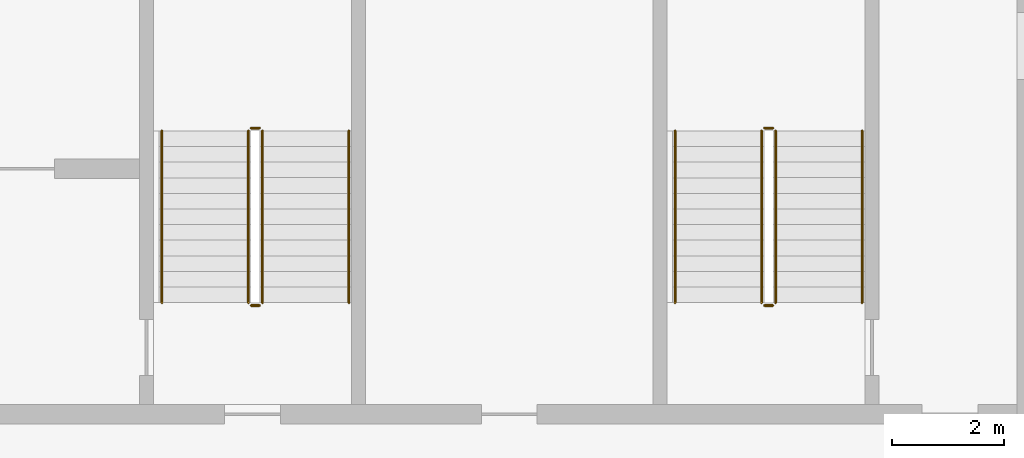
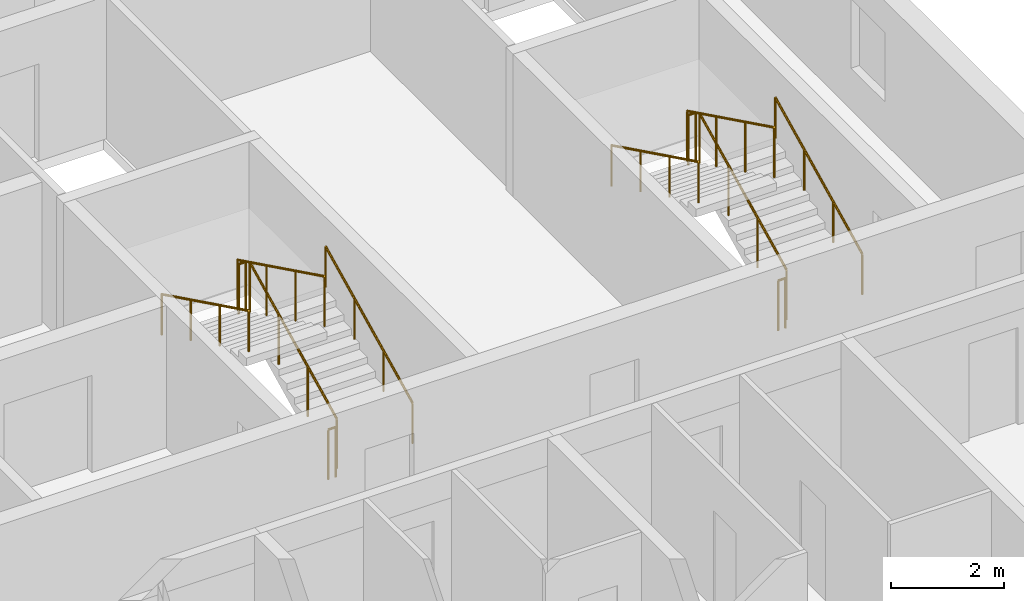
# One storey, part 15 of 27: 12 railings.
"""IFC4 building model written with IfcOpenShell, lengths in metres."""

from ifc_helpers import new_model, si_unit, direction, frame, origin, origin_2d, place, context, subcontext, project, spatial, circle, extrude, material, type_object, element, save


model = new_model("IFC4")

# Units and contexts
model_context = context("Model", 3, precision=1e-05, world=origin(), true_north=direction((0.0, 1.0)))
body_context = subcontext(model_context, "Body", "Model", "MODEL_VIEW")
ifc_project = project(units=[si_unit("LENGTHUNIT", "METRE"), si_unit("AREAUNIT", "SQUARE_METRE"), si_unit("VOLUMEUNIT", "CUBIC_METRE"), si_unit("PLANEANGLEUNIT", "RADIAN"), si_unit("MASSUNIT", "GRAM", prefix="KILO")], contexts=[model_context])

# Site, building, storey
site_placement = place(None, origin())
site = spatial("IfcSite", under=ifc_project, at=site_placement, CompositionType="ELEMENT")
building_placement = place(site_placement, origin())
building = spatial("IfcBuilding", under=site, at=building_placement, Name="Poui Terraces", CompositionType="ELEMENT")
storey_placement = place(building_placement, frame((0.0, 0.0, 254.39990234375)))
storey = spatial("IfcBuildingStorey", under=building, at=storey_placement, Name="L71", CompositionType="ELEMENT", Elevation=254.39990234375)

# Railings
ifc_material_1 = material(Name="Galvanised steel balustrade", Category="steel")
railing_type_1 = type_object("IfcRailingType", Name="STAIR GUARD 1100", PredefinedType="GUARDRAIL", material=ifc_material_1)
railing_1_placement = place(storey_placement, frame((70.27490234375, 16.60009765625, 0.1376953125)))
element("IfcRailing", 1, at=railing_1_placement, inside=storey, type_object=railing_type_1, Name="L71 ST-CE stair guard 1", PredefinedType="GUARDRAIL", context=body_context, shape_type="SweptSolid", body=[
    extrude(circle(Radius=0.02392578125, at=origin_2d()), frame((0.0, 0.0, 1.076171875), z_axis=(0.0, 0.897606190399, 0.440798283751), x_axis=(-1.0, 0.0, 0.0)), (0.0, 0.0, 1.0), 3.43115234375),
    extrude(circle(Radius=0.02099609375, at=origin_2d()), origin(), (0.0, 0.0, 1.0), 1.052001953125),
    extrude(circle(Radius=0.02099609375, at=origin_2d()), frame((0.0, 1.026611328125, 0.504150390625)), (0.0, 0.0, 1.0), 1.052001953125),
    extrude(circle(Radius=0.02099609375, at=origin_2d()), frame((0.0, 2.05322265625, 1.00830078125)), (0.0, 0.0, 1.0), 1.052001953125),
    extrude(circle(Radius=0.02099609375, at=origin_2d()), frame((0.0, 3.079833984375, 1.512451171875)), (0.0, 0.0, 1.0), 1.052001953125),
])
railing_2_placement = place(storey_placement, frame((70.22509765625, 19.72998046875, 1.650146484375)))
element("IfcRailing", 2, at=railing_2_placement, inside=storey, type_object=railing_type_1, Name="L71 ST-CE stair guard 2", PredefinedType="GUARDRAIL", context=body_context, shape_type="SweptSolid", body=[
    extrude(circle(Radius=0.02392578125, at=origin_2d()), frame((0.0, 0.0, 1.076171875), z_axis=(-1.0, 0.0, 0.0), x_axis=(0.0, -1.0, 0.0)), (0.0, 0.0, 1.0), 0.150146484375),
    extrude(circle(Radius=0.02099609375, at=origin_2d()), origin(), (0.0, 0.0, 1.0), 1.052001953125),
    extrude(circle(Radius=0.02099609375, at=origin_2d()), frame((-0.150146484375, 0.0, 0.0)), (0.0, 0.0, 1.0), 1.052001953125),
])
railing_3_placement = place(storey_placement, frame((70.02490234375, 19.679931640625, 1.78759765625)))
element("IfcRailing", 3, at=railing_3_placement, inside=storey, type_object=railing_type_1, Name="L71 ST-CE stair guard 3", PredefinedType="GUARDRAIL", context=body_context, shape_type="SweptSolid", body=[
    extrude(circle(Radius=0.02392578125, at=origin_2d()), frame((0.0, 0.0, 1.076171875), z_axis=(0.0, -0.897606190399, 0.440798283751), x_axis=(1.0, 0.0, 0.0)), (0.0, 0.0, 1.0), 3.43115234375),
    extrude(circle(Radius=0.02099609375, at=origin_2d()), origin(), (0.0, 0.0, 1.0), 1.052001953125),
    extrude(circle(Radius=0.02099609375, at=origin_2d()), frame((0.0, -1.026611328125, 0.504150390625)), (0.0, 0.0, 1.0), 1.052001953125),
    extrude(circle(Radius=0.02099609375, at=origin_2d()), frame((0.0, -2.05322265625, 1.00830078125)), (0.0, 0.0, 1.0), 1.052001953125),
    extrude(circle(Radius=0.02099609375, at=origin_2d()), frame((0.0, -3.079833984375, 1.512451171875)), (0.0, 0.0, 1.0), 1.052001953125),
])
railing_4_placement = place(storey_placement, frame((70.22509765625, 16.550048828125, 0.0)))
element("IfcRailing", 4, at=railing_4_placement, inside=storey, type_object=railing_type_1, Name="L71 ST-CE stair guard 4", PredefinedType="GUARDRAIL", context=body_context, shape_type="SweptSolid", body=[
    extrude(circle(Radius=0.02392578125, at=origin_2d()), frame((0.0, 0.0, 1.076171875), z_axis=(-1.0, 0.0, 0.0), x_axis=(0.0, -1.0, 0.0)), (0.0, 0.0, 1.0), 0.150146484375),
    extrude(circle(Radius=0.02099609375, at=origin_2d()), origin(), (0.0, 0.0, 1.0), 1.052001953125),
    extrude(circle(Radius=0.02099609375, at=origin_2d()), frame((-0.150146484375, 0.0, 0.0)), (0.0, 0.0, 1.0), 1.052001953125),
])
railing_5_placement = place(storey_placement, frame((79.47509765625, 16.60009765625, 0.1376953125)))
element("IfcRailing", 5, at=railing_5_placement, inside=storey, type_object=railing_type_1, Name="L71 ST-E stair guard 1", PredefinedType="GUARDRAIL", context=body_context, shape_type="SweptSolid", body=[
    extrude(circle(Radius=0.02392578125, at=origin_2d()), frame((0.0, 0.0, 1.076171875), z_axis=(0.0, 0.897606190399, 0.440798283751), x_axis=(-1.0, 0.0, 0.0)), (0.0, 0.0, 1.0), 3.43115234375),
    extrude(circle(Radius=0.02099609375, at=origin_2d()), origin(), (0.0, 0.0, 1.0), 1.052001953125),
    extrude(circle(Radius=0.02099609375, at=origin_2d()), frame((0.0, 1.026611328125, 0.504150390625)), (0.0, 0.0, 1.0), 1.052001953125),
    extrude(circle(Radius=0.02099609375, at=origin_2d()), frame((0.0, 2.05322265625, 1.00830078125)), (0.0, 0.0, 1.0), 1.052001953125),
    extrude(circle(Radius=0.02099609375, at=origin_2d()), frame((0.0, 3.079833984375, 1.512451171875)), (0.0, 0.0, 1.0), 1.052001953125),
])
railing_6_placement = place(storey_placement, frame((79.425048828125, 19.72998046875, 1.650146484375)))
element("IfcRailing", 6, at=railing_6_placement, inside=storey, type_object=railing_type_1, Name="L71 ST-E stair guard 2", PredefinedType="GUARDRAIL", context=body_context, shape_type="SweptSolid", body=[
    extrude(circle(Radius=0.02392578125, at=origin_2d()), frame((0.0, 0.0, 1.076171875), z_axis=(-1.0, 0.0, 0.0), x_axis=(0.0, -1.0, 0.0)), (0.0, 0.0, 1.0), 0.150146484375),
    extrude(circle(Radius=0.02099609375, at=origin_2d()), origin(), (0.0, 0.0, 1.0), 1.052001953125),
    extrude(circle(Radius=0.02099609375, at=origin_2d()), frame((-0.150146484375, 0.0, 0.0)), (0.0, 0.0, 1.0), 1.052001953125),
])
railing_7_placement = place(storey_placement, frame((79.22509765625, 19.679931640625, 1.78759765625)))
element("IfcRailing", 7, at=railing_7_placement, inside=storey, type_object=railing_type_1, Name="L71 ST-E stair guard 3", PredefinedType="GUARDRAIL", context=body_context, shape_type="SweptSolid", body=[
    extrude(circle(Radius=0.02392578125, at=origin_2d()), frame((0.0, 0.0, 1.076171875), z_axis=(0.0, -0.897606190399, 0.440798283751), x_axis=(1.0, 0.0, 0.0)), (0.0, 0.0, 1.0), 3.43115234375),
    extrude(circle(Radius=0.02099609375, at=origin_2d()), origin(), (0.0, 0.0, 1.0), 1.052001953125),
    extrude(circle(Radius=0.02099609375, at=origin_2d()), frame((0.0, -1.026611328125, 0.504150390625)), (0.0, 0.0, 1.0), 1.052001953125),
    extrude(circle(Radius=0.02099609375, at=origin_2d()), frame((0.0, -2.05322265625, 1.00830078125)), (0.0, 0.0, 1.0), 1.052001953125),
    extrude(circle(Radius=0.02099609375, at=origin_2d()), frame((0.0, -3.079833984375, 1.512451171875)), (0.0, 0.0, 1.0), 1.052001953125),
])
railing_8_placement = place(storey_placement, frame((79.425048828125, 16.550048828125, 0.0)))
element("IfcRailing", 8, at=railing_8_placement, inside=storey, type_object=railing_type_1, Name="L71 ST-E stair guard 4", PredefinedType="GUARDRAIL", context=body_context, shape_type="SweptSolid", body=[
    extrude(circle(Radius=0.02392578125, at=origin_2d()), frame((0.0, 0.0, 1.076171875), z_axis=(-1.0, 0.0, 0.0), x_axis=(0.0, -1.0, 0.0)), (0.0, 0.0, 1.0), 0.150146484375),
    extrude(circle(Radius=0.02099609375, at=origin_2d()), origin(), (0.0, 0.0, 1.0), 1.052001953125),
    extrude(circle(Radius=0.02099609375, at=origin_2d()), frame((-0.150146484375, 0.0, 0.0)), (0.0, 0.0, 1.0), 1.052001953125),
])
ifc_material_2 = material(Name="Stainless steel handrail", Category="steel")
railing_type_2 = type_object("IfcRailingType", Name="STAIR HANDRAIL 900", PredefinedType="HANDRAIL", material=ifc_material_2)
railing_9_placement = place(storey_placement, frame((71.824951171875, 16.60009765625, 0.1376953125)))
element("IfcRailing", 9, at=railing_9_placement, inside=storey, type_object=railing_type_2, Name="L71 ST-CE stair handrail 1", PredefinedType="HANDRAIL", context=body_context, shape_type="SweptSolid", body=[
    extrude(circle(Radius=0.02392578125, at=origin_2d()), frame((0.0, 0.0, 0.8759765625), z_axis=(0.0, 0.897606190399, 0.440798283751), x_axis=(-1.0, 0.0, 0.0)), (0.0, 0.0, 1.0), 3.43115234375),
    extrude(circle(Radius=0.02099609375, at=origin_2d()), origin(), (0.0, 0.0, 1.0), 0.851806640625),
    extrude(circle(Radius=0.02099609375, at=origin_2d()), frame((0.0, 1.026611328125, 0.504150390625)), (0.0, 0.0, 1.0), 0.851806640625),
    extrude(circle(Radius=0.02099609375, at=origin_2d()), frame((0.0, 2.05322265625, 1.00830078125)), (0.0, 0.0, 1.0), 0.851806640625),
    extrude(circle(Radius=0.02099609375, at=origin_2d()), frame((0.0, 3.079833984375, 1.512451171875)), (0.0, 0.0, 1.0), 0.851806640625),
])
railing_10_placement = place(storey_placement, frame((68.47509765625, 19.679931640625, 1.78759765625)))
element("IfcRailing", 10, at=railing_10_placement, inside=storey, type_object=railing_type_2, Name="L71 ST-CE stair handrail 2", PredefinedType="HANDRAIL", context=body_context, shape_type="SweptSolid", body=[
    extrude(circle(Radius=0.02392578125, at=origin_2d()), frame((0.0, 0.0, 0.8759765625), z_axis=(0.0, -0.897606190399, 0.440798283751), x_axis=(1.0, 0.0, 0.0)), (0.0, 0.0, 1.0), 3.43115234375),
    extrude(circle(Radius=0.02099609375, at=origin_2d()), origin(), (0.0, 0.0, 1.0), 0.851806640625),
    extrude(circle(Radius=0.02099609375, at=origin_2d()), frame((0.0, -1.026611328125, 0.504150390625)), (0.0, 0.0, 1.0), 0.851806640625),
    extrude(circle(Radius=0.02099609375, at=origin_2d()), frame((0.0, -2.05322265625, 1.00830078125)), (0.0, 0.0, 1.0), 0.851806640625),
    extrude(circle(Radius=0.02099609375, at=origin_2d()), frame((0.0, -3.079833984375, 1.512451171875)), (0.0, 0.0, 1.0), 0.851806640625),
])
railing_11_placement = place(storey_placement, frame((81.02490234375, 16.60009765625, 0.1376953125)))
element("IfcRailing", 11, at=railing_11_placement, inside=storey, type_object=railing_type_2, Name="L71 ST-E stair handrail 1", PredefinedType="HANDRAIL", context=body_context, shape_type="SweptSolid", body=[
    extrude(circle(Radius=0.02392578125, at=origin_2d()), frame((0.0, 0.0, 0.8759765625), z_axis=(0.0, 0.897606190399, 0.440798283751), x_axis=(-1.0, 0.0, 0.0)), (0.0, 0.0, 1.0), 3.43115234375),
    extrude(circle(Radius=0.02099609375, at=origin_2d()), origin(), (0.0, 0.0, 1.0), 0.851806640625),
    extrude(circle(Radius=0.02099609375, at=origin_2d()), frame((0.0, 1.026611328125, 0.504150390625)), (0.0, 0.0, 1.0), 0.851806640625),
    extrude(circle(Radius=0.02099609375, at=origin_2d()), frame((0.0, 2.05322265625, 1.00830078125)), (0.0, 0.0, 1.0), 0.851806640625),
    extrude(circle(Radius=0.02099609375, at=origin_2d()), frame((0.0, 3.079833984375, 1.512451171875)), (0.0, 0.0, 1.0), 0.851806640625),
])
railing_12_placement = place(storey_placement, frame((77.675048828125, 19.679931640625, 1.78759765625)))
element("IfcRailing", 12, at=railing_12_placement, inside=storey, type_object=railing_type_2, Name="L71 ST-E stair handrail 2", PredefinedType="HANDRAIL", context=body_context, shape_type="SweptSolid", body=[
    extrude(circle(Radius=0.02392578125, at=origin_2d()), frame((0.0, 0.0, 0.8759765625), z_axis=(0.0, -0.897606190399, 0.440798283751), x_axis=(1.0, 0.0, 0.0)), (0.0, 0.0, 1.0), 3.43115234375),
    extrude(circle(Radius=0.02099609375, at=origin_2d()), origin(), (0.0, 0.0, 1.0), 0.851806640625),
    extrude(circle(Radius=0.02099609375, at=origin_2d()), frame((0.0, -1.026611328125, 0.504150390625)), (0.0, 0.0, 1.0), 0.851806640625),
    extrude(circle(Radius=0.02099609375, at=origin_2d()), frame((0.0, -2.05322265625, 1.00830078125)), (0.0, 0.0, 1.0), 0.851806640625),
    extrude(circle(Radius=0.02099609375, at=origin_2d()), frame((0.0, -3.079833984375, 1.512451171875)), (0.0, 0.0, 1.0), 0.851806640625),
])

save(model, "model.ifc")
